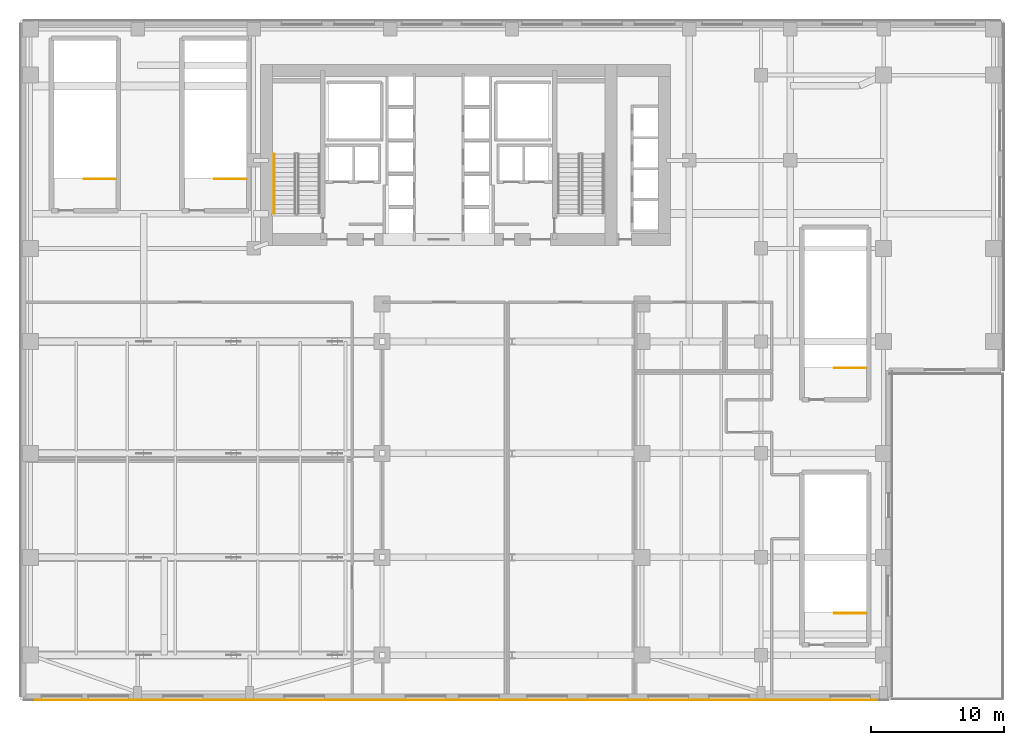
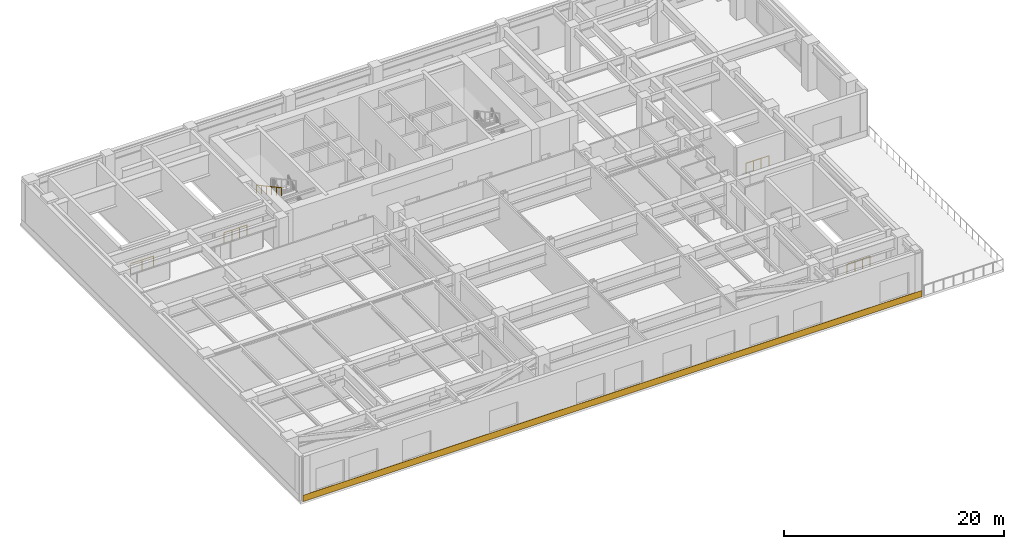
# One storey, part 10 of 14: 5 railings, 1 covering.
"""IFC4 building model written with IfcOpenShell, lengths in metres."""

from ifc_helpers import new_model, si_unit, direction, frame, origin, origin_2d, place, context, subcontext, project, spatial, polyline, circle, outline, extrude, material, layer, layer_set, type_object, element, save


model = new_model("IFC4")

# Units and contexts
model_context = context("Model", 3, precision=1e-05, world=origin(), true_north=direction((0.0, 1.0)))
body_context = subcontext(model_context, "Body", "Model", "MODEL_VIEW")
ifc_project = project(units=[si_unit("LENGTHUNIT", "METRE"), si_unit("AREAUNIT", "SQUARE_METRE"), si_unit("VOLUMEUNIT", "CUBIC_METRE"), si_unit("PLANEANGLEUNIT", "RADIAN"), si_unit("MASSUNIT", "GRAM", prefix="KILO")], contexts=[model_context])

# Site, building, storey
site_placement = place(None, origin())
site = spatial("IfcSite", under=ifc_project, at=site_placement, CompositionType="ELEMENT")
building_placement = place(site_placement, origin())
building = spatial("IfcBuilding", under=site, at=building_placement, Name="Tolvann Quenvar Hotel", CompositionType="ELEMENT")
storey_placement = place(building_placement, frame((0.0, 0.0, 26.800048828125)))
storey = spatial("IfcBuildingStorey", under=building, at=storey_placement, Name="L05", CompositionType="ELEMENT", Elevation=26.800048828125)

# Covering
ifc_material_1 = material(Name="Moulded buff architectural terracotta spandrel cladding", Category="masonry")
ifc_layer = layer(ifc_material_1, 0.0400390625)
ifc_layer_set = layer_set([ifc_layer], Name="Moulded buff architectural terracotta spandrel cladding")
covering_type = type_object("IfcCoveringType", Name="COV_CLAD_TERRA_40", PredefinedType="CLADDING", material=ifc_layer_set)
covering_placement = place(storey_placement, origin())
element("IfcCovering", 1, at=covering_placement, inside=storey, type_object=covering_type, Name="Terracotta Spandrel Cladding (L05-E06)", PredefinedType="CLADDING", context=body_context, shape_type="SweptSolid", body=[
    extrude(outline(polyline([(-8.14990234375, -2.5), (56.75, -2.5), (56.75, -2.5400390625), (-8.14990234375, -2.5400390625), (-8.14990234375, -2.5)])), origin(), (0.0, 0.0, 1.0), 0.699951171875),
])

# Railings
ifc_material_2 = material(Name="Brushed 316 stainless steel balustrade and handrail", Category="steel")
railing_type_1 = type_object("IfcRailingType", Name="GUARDRAIL", PredefinedType="GUARDRAIL", material=ifc_material_2)
railing_1_placement = place(storey_placement, frame((-1.25, 36.60009765625, 0.0)))
element("IfcRailing", 2, at=railing_1_placement, inside=storey, type_object=railing_type_1, Name="L05 ST-P1 top well guard 1", PredefinedType="GUARDRAIL", context=body_context, shape_type="SweptSolid", body=[
    extrude(circle(Radius=0.02392578125, at=origin_2d()), frame((0.0, 0.0, 1.09619140625), z_axis=(-1.0, 0.0, 0.0), x_axis=(0.0, -1.0, 0.0)), (0.0, 0.0, 1.0), 2.39990234375),
    extrude(circle(Radius=0.02099609375, at=origin_2d()), origin(), (0.0, 0.0, 1.0), 1.072021484375),
    extrude(circle(Radius=0.02099609375, at=origin_2d()), frame((-1.199951171875, 0.0, 0.0)), (0.0, 0.0, 1.0), 1.072021484375),
    extrude(circle(Radius=0.02099609375, at=origin_2d()), frame((-2.39990234375, 0.0, 0.0)), (0.0, 0.0, 1.0), 1.072021484375),
])
for number, where, name in (
    (3, (8.550048828125, 36.60009765625, 0.0), "L05 ST-P2 top well guard 1"),
    (4, (55.10009765625, 4.0, 0.0), "L05 ST-P3 top well guard 1"),
    (5, (55.10009765625, 22.39990234375, 0.0), "L05 ST-P4 top well guard 1"),
):
    element("IfcRailing", number, at=place(storey_placement, frame(where)), inside=storey, type_object=railing_type_1, Name=name, PredefinedType="GUARDRAIL", context=body_context, shape_type="SweptSolid", body=[
        extrude(circle(Radius=0.02392578125, at=origin_2d()), frame((0.0, 0.0, 1.09619140625), z_axis=(-1.0, 0.0, 0.0), x_axis=(0.0, -1.0, 0.0)), (0.0, 0.0, 1.0), 2.400146484375),
        extrude(circle(Radius=0.02099609375, at=origin_2d()), origin(), (0.0, 0.0, 1.0), 1.072021484375),
        extrude(circle(Radius=0.02099609375, at=origin_2d()), frame((-0.800048828125, 0.0, 0.0)), (0.0, 0.0, 1.0), 1.072021484375),
        extrude(circle(Radius=0.02099609375, at=origin_2d()), frame((-1.60009765625, 0.0, 0.0)), (0.0, 0.0, 1.0), 1.072021484375),
        extrude(circle(Radius=0.02099609375, at=origin_2d()), frame((-2.400146484375, 0.0, 0.0)), (0.0, 0.0, 1.0), 1.072021484375),
    ])
railing_type_2 = type_object("IfcRailingType", Name="HANDRAIL", PredefinedType="HANDRAIL", material=ifc_material_2)
railing_2_placement = place(storey_placement, frame((10.64990234375, 38.485107421875, 2.78564453125)))
element("IfcRailing", 6, at=railing_2_placement, inside=storey, type_object=railing_type_2, Name="L05 ST-C1 stair handrail 2", PredefinedType="HANDRAIL", context=body_context, shape_type="SweptSolid", body=[
    extrude(circle(Radius=0.02392578125, at=origin_2d()), frame((0.0, 0.0, 0.8759765625), z_axis=(0.0, -0.88053265471, 0.473985489218), x_axis=(1.0, 0.0, 0.0)), (0.0, 0.0, 1.0), 5.09375),
    extrude(circle(Radius=0.02099609375, at=origin_2d()), origin(), (0.0, 0.0, 1.0), 0.851806640625),
    extrude(circle(Radius=0.02099609375, at=origin_2d()), frame((0.0, -0.89697265625, 0.48291015625)), (0.0, 0.0, 1.0), 0.851806640625),
    extrude(circle(Radius=0.02099609375, at=origin_2d()), frame((0.0, -1.7939453125, 0.9658203125)), (0.0, 0.0, 1.0), 0.851806640625),
    extrude(circle(Radius=0.02099609375, at=origin_2d()), frame((0.0, -2.691162109375, 1.448486328125)), (0.0, 0.0, 1.0), 0.851806640625),
    extrude(circle(Radius=0.02099609375, at=origin_2d()), frame((0.0, -3.588134765625, 1.931396484375)), (0.0, 0.0, 1.0), 0.851806640625),
    extrude(circle(Radius=0.02099609375, at=origin_2d()), frame((0.0, -4.485107421875, 2.414306640625)), (0.0, 0.0, 1.0), 0.851806640625),
])

save(model, "model.ifc")
